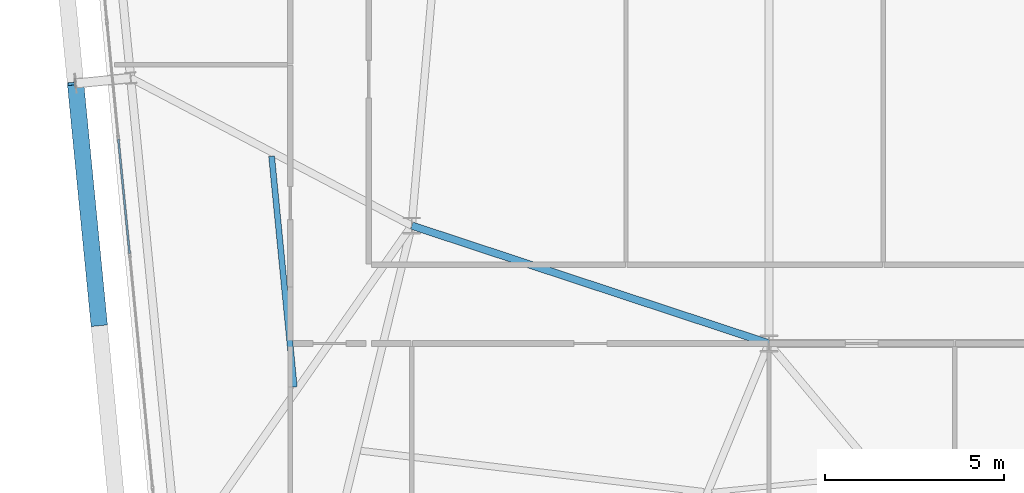
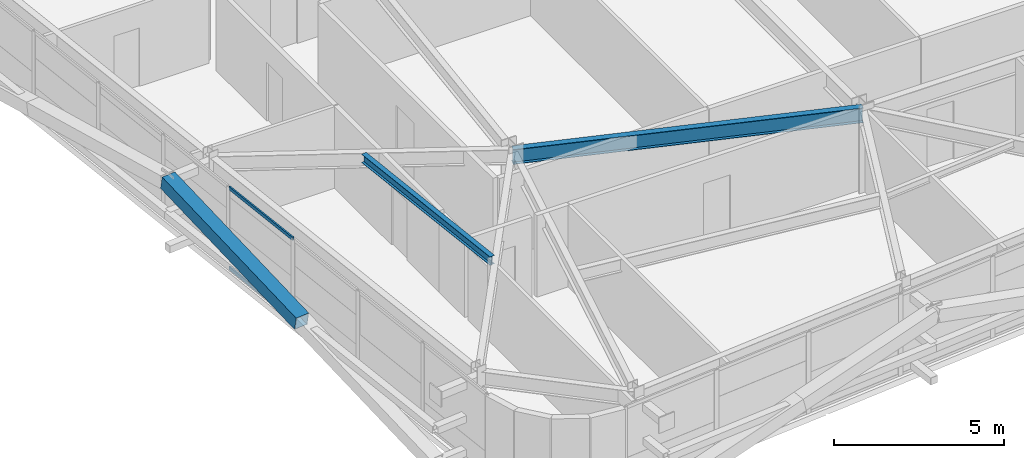
# One storey, part 9 of 52: 3 members, 2 beams, 1 element without a shape of its own.
"""IFC4 building model written with IfcOpenShell, lengths in metres."""

import ifcopenshell
import ifcopenshell.guid

model = None  # the IFC model being written
_history = None  # IfcOwnerHistory: only IFC2X3 demands one
_inside = {}  # id of a spatial element -> (the spatial element, [elements in it])
_under = {}  # id of a project, library or spatial element -> (it, [spatial elements below it])
_declared = {}  # id of a project -> (the project, [libraries it declares])
_typed = {}  # id of a type object -> (the type object, [elements of that type])
_made_of = {}  # id of a material, layer set ... -> (it, [elements and type objects made of it])


def new_model(schema):
    """Start an empty IFC model of exactly this schema.

    Asked for "IFC4X3", IfcOpenShell would pick the latest addendum, in which some entities
    have other attributes; the version numbers below select the first issue.
    IFC2X3 requires an IfcOwnerHistory on every rooted entity: one is made here for all.
    """
    global model, _history
    if schema == "IFC4X3":
        model = ifcopenshell.file(schema_version=(4, 3, 0, 0))
    else:
        model = ifcopenshell.file(schema=schema)
    _inside.clear()
    _under.clear()
    _declared.clear()
    _typed.clear()
    _made_of.clear()
    _history = None
    if model.schema == "IFC2X3":
        org = make("IfcOrganization", Name="unknown")
        user = make(
            "IfcPersonAndOrganization",
            ThePerson=make("IfcPerson", FamilyName="unknown"),
            TheOrganization=org,
        )
        app = make(
            "IfcApplication",
            ApplicationDeveloper=org,
            Version="unknown",
            ApplicationFullName="unknown",
            ApplicationIdentifier="unknown",
        )
        _history = make(
            "IfcOwnerHistory",
            OwningUser=user,
            OwningApplication=app,
            ChangeAction="ADDED",
            CreationDate=0,
        )
    return model


def make(cls, **values):
    """One entity of the class cls with the attributes given. An attribute that is None is left unset."""
    return model.create_entity(
        cls, **{name: value for name, value in values.items() if value is not None}
    )


def rooted(cls, **values):
    """An entity with a GlobalId (a new one), such as an element, a storey or a relation."""
    return make(cls, GlobalId=ifcopenshell.guid.new(), OwnerHistory=_history, **values)


def si_unit(unit_type, name, prefix=None):
    """IfcSIUnit, for example si_unit("LENGTHUNIT", "METRE", prefix="MILLI")."""
    return make("IfcSIUnit", UnitType=unit_type, Prefix=prefix, Name=name)


def assignment(units):
    """IfcUnitAssignment: the units of a project."""
    return None if units is None else make("IfcUnitAssignment", Units=units)


def point(xyz):
    """IfcCartesianPoint."""
    return None if xyz is None else make("IfcCartesianPoint", Coordinates=xyz)


def direction(xyz):
    """IfcDirection."""
    return None if xyz is None else make("IfcDirection", DirectionRatios=xyz)


def frame(location, z_axis=None, x_axis=None):
    """IfcAxis2Placement3D, a coordinate frame: its origin and axes. An axis left out is left unset."""
    return make(
        "IfcAxis2Placement3D",
        Location=point(location),
        Axis=direction(z_axis),
        RefDirection=direction(x_axis),
    )


def frame_2d(location, x_axis=None):
    """IfcAxis2Placement2D, a coordinate frame in the plane: its origin and x axis."""
    return make(
        "IfcAxis2Placement2D", Location=point(location), RefDirection=direction(x_axis)
    )


def origin():
    """The frame at (0, 0, 0) with its axes left unset."""
    return frame((0.0, 0.0, 0.0))


def origin_2d():
    """The frame at (0, 0) in the plane with its x axis left unset."""
    return frame_2d((0.0, 0.0))


def place(relative_to, where):
    """IfcLocalPlacement: puts the frame where relative to a parent placement (None: the world)."""
    return make(
        "IfcLocalPlacement", PlacementRelTo=relative_to, RelativePlacement=where
    )


def context(
    kind, dimensions, precision=None, world=None, true_north=None, identifier=None
):
    """IfcGeometricRepresentationContext, for example the 3D "Model" context."""
    return make(
        "IfcGeometricRepresentationContext",
        ContextIdentifier=identifier,
        ContextType=kind,
        CoordinateSpaceDimension=dimensions,
        Precision=precision,
        WorldCoordinateSystem=world,
        TrueNorth=true_north,
    )


def subcontext(parent, identifier, kind, view, scale=None):
    """IfcGeometricRepresentationSubContext, for example "Body" below "Model"."""
    return make(
        "IfcGeometricRepresentationSubContext",
        ContextIdentifier=identifier,
        ContextType=kind,
        ParentContext=parent,
        TargetScale=scale,
        TargetView=view,
    )


def project(units=None, contexts=None):
    """IfcProject with its units and contexts."""
    return rooted(
        "IfcProject",
        Name="project",
        RepresentationContexts=contexts,
        UnitsInContext=assignment(units),
    )


def spatial(cls, under=None, at=None, **own):
    """A site, building, storey or space (cls), placed at a placement, below another one or the project."""
    s = rooted(cls, ObjectPlacement=at, **own)
    if under is not None:
        _under.setdefault(under.id(), (under, []))[1].append(s)
    return s


def profile(cls, at=None, kind="AREA", **sizes):
    """A parametric profile (cls). Its sizes go by their IFC names, for example OverallWidth=200.0."""
    return make(cls, ProfileType=kind, Position=at, **sizes)


def hollow_rectangle(**sizes):
    """IfcRectangleHollowProfileDef."""
    return profile("IfcRectangleHollowProfileDef", **sizes)


def i_section(**sizes):
    """IfcIShapeProfileDef."""
    return profile("IfcIShapeProfileDef", **sizes)


def extrude(swept, where, along, depth):
    """IfcExtrudedAreaSolid: the profile swept, set in the frame where, extruded along a direction by depth."""
    return make(
        "IfcExtrudedAreaSolid",
        SweptArea=swept,
        Position=where,
        ExtrudedDirection=direction(along),
        Depth=depth,
    )


def shape(context_of_items, identifier, shape_type, items):
    """IfcShapeRepresentation: the items that make up one representation, for example the "Body"."""
    return make(
        "IfcShapeRepresentation",
        ContextOfItems=context_of_items,
        RepresentationIdentifier=identifier,
        RepresentationType=shape_type,
        Items=items,
    )


def source(mapping_origin, context_of_items, identifier, shape_type, items):
    """IfcRepresentationMap: a shape defined once, which mapped items show again and again."""
    return make(
        "IfcRepresentationMap",
        MappingOrigin=mapping_origin,
        MappedRepresentation=shape(context_of_items, identifier, shape_type, items),
    )


def transform(
    local_origin,
    x_axis=None,
    y_axis=None,
    z_axis=None,
    scale=None,
    scale2=None,
    scale3=None,
    uniform=True,
):
    """IfcCartesianTransformationOperator3D, or its non-uniform kind. x_axis, y_axis, z_axis: its Axis1, 2, 3."""
    if uniform:
        return make(
            "IfcCartesianTransformationOperator3D",
            Axis1=direction(x_axis),
            Axis2=direction(y_axis),
            LocalOrigin=point(local_origin),
            Scale=scale,
            Axis3=direction(z_axis),
        )
    return make(
        "IfcCartesianTransformationOperator3DnonUniform",
        Axis1=direction(x_axis),
        Axis2=direction(y_axis),
        LocalOrigin=point(local_origin),
        Scale=scale,
        Axis3=direction(z_axis),
        Scale2=scale2,
        Scale3=scale3,
    )


def mapped(mapping_source, mapping_target):
    """IfcMappedItem: shows the shape of a source again, moved by a transform."""
    return make(
        "IfcMappedItem", MappingSource=mapping_source, MappingTarget=mapping_target
    )


def material(Name=None, Category=None):
    """IfcMaterial."""
    return make("IfcMaterial", Name=Name, Category=Category)


def layer(
    of_material, thickness, ventilated=None, Name=None, Category=None, Priority=None
):
    """IfcMaterialLayer: one layer of a wall or slab, of a material (None: an air gap)."""
    return make(
        "IfcMaterialLayer",
        Material=of_material,
        LayerThickness=thickness,
        IsVentilated=ventilated,
        Name=Name,
        Category=Category,
        Priority=Priority,
    )


def layer_set(layers, Name=None):
    """IfcMaterialLayerSet."""
    return make("IfcMaterialLayerSet", MaterialLayers=layers, LayerSetName=Name)


def material_profile(
    of_material, cross_section, Name=None, Category=None, Priority=None
):
    """IfcMaterialProfile: a cross section and its material."""
    return make(
        "IfcMaterialProfile",
        Name=Name,
        Material=of_material,
        Profile=cross_section,
        Priority=Priority,
        Category=Category,
    )


def profile_set(profiles, Name=None, composite=None):
    """IfcMaterialProfileSet."""
    return make(
        "IfcMaterialProfileSet",
        Name=Name,
        MaterialProfiles=profiles,
        CompositeProfile=composite,
    )


def made_of(thing, what):
    """Note that an element or type object is made of a material, layer set ...; save() writes the relation."""
    if what is not None:
        _made_of.setdefault(what.id(), (what, []))[1].append(thing)
    return thing


def type_object(cls, material=None, **own):
    """A type object (cls), such as IfcWallType, which elements share."""
    return made_of(rooted(cls, **own), material)


def element(
    cls,
    number,
    at=None,
    inside=None,
    cuts=None,
    type_object=None,
    material=None,
    context=None,
    identifier="Body",
    shape_type=None,
    held_by="IfcProductDefinitionShape",
    body=None,
    shapes=None,
    **own,
):
    """One element of the class cls, such as IfcWall. Its Tag is "e" and its number.

    at: its placement. inside: the storey or other place that contains it. cuts: it is an
    opening in that element (IfcRelVoidsElement). A single representation is given by context,
    identifier, shape_type and body (its items); several are given by shapes. held_by: the class
    of the entity that holds the representations. save() writes the other relations.
    """
    e = rooted(cls, Tag="e%d" % number, ObjectPlacement=at, **own)
    if body is not None:
        shapes = [shape(context, identifier, shape_type, body)]
    if shapes is not None:
        e.Representation = make(held_by, Representations=shapes)
    if inside is not None:
        _inside.setdefault(inside.id(), (inside, []))[1].append(e)
    if cuts is not None:
        rooted(
            "IfcRelVoidsElement", RelatingBuildingElement=cuts, RelatedOpeningElement=e
        )
    if type_object is not None:
        _typed.setdefault(type_object.id(), (type_object, []))[1].append(e)
    return made_of(e, material)


def aggregate(whole, parts):
    """IfcRelAggregates: a whole, such as a stair, and the parts it consists of."""
    return rooted("IfcRelAggregates", RelatingObject=whole, RelatedObjects=parts)


def save(model, path):
    """Write the relations noted so far, then the file.

    IfcRelAggregates (storeys below a building ...), IfcRelContainedInSpatialStructure (elements
    in a storey), IfcRelDefinesByType, IfcRelAssociatesMaterial and IfcRelDeclares: one each for
    every whole, place, type object, material and project.
    """
    for whole, parts in _under.values():
        aggregate(whole, parts)
    for where, things in _inside.values():
        rooted(
            "IfcRelContainedInSpatialStructure",
            RelatedElements=things,
            RelatingStructure=where,
        )
    for kind, things in _typed.values():
        rooted("IfcRelDefinesByType", RelatedObjects=things, RelatingType=kind)
    for what, things in _made_of.values():
        rooted("IfcRelAssociatesMaterial", RelatedObjects=things, RelatingMaterial=what)
    for by, libraries in _declared.values():
        rooted("IfcRelDeclares", RelatingContext=by, RelatedDefinitions=libraries)
    model.write(path)


model = new_model("IFC4")

# Units and contexts
model_context = context("Model", 3, precision=1e-05, world=origin(), true_north=direction((0.0, 1.0)))
body_context = subcontext(model_context, "Body", "Model", "MODEL_VIEW")
ifc_project = project(units=[si_unit("LENGTHUNIT", "METRE"), si_unit("AREAUNIT", "SQUARE_METRE"), si_unit("VOLUMEUNIT", "CUBIC_METRE"), si_unit("PLANEANGLEUNIT", "RADIAN"), si_unit("MASSUNIT", "GRAM", prefix="KILO")], contexts=[model_context])

# Site, building, storey
site_placement = place(None, origin())
site = spatial("IfcSite", under=ifc_project, at=site_placement, CompositionType="ELEMENT")
building_placement = place(site_placement, origin())
building = spatial("IfcBuilding", under=site, at=building_placement, Name="Taldren Reach Tower", CompositionType="ELEMENT")
storey_placement = place(building_placement, frame((0.0, 0.0, 93.449951171875)))
storey = spatial("IfcBuildingStorey", under=building, at=storey_placement, Name="L28", CompositionType="ELEMENT", Elevation=93.449951171875)

# Beams
ifc_material_1 = material(Name="Steel Gr 350 (350PLUS)", Category="steel")
ifc_material_profile_1 = material_profile(ifc_material_1, i_section(OverallWidth=0.208984375, OverallDepth=0.532958984375, WebThickness=0.01025390625, FlangeThickness=0.015625, at=origin_2d()), Name="530UB92.4")
ifc_profile_set_1 = profile_set([ifc_material_profile_1], Name="Steel Gr 350 (350PLUS)")
beam_type_1 = type_object("IfcBeamType", Name="BM-UB530A", PredefinedType="BEAM", material=ifc_profile_set_1)
shared_shape_1 = source(origin(), body_context, "Body", "SweptSolid", [
    extrude(i_section(OverallWidth=0.208984375, OverallDepth=0.532958984375, WebThickness=0.01025390625, FlangeThickness=0.015625, at=origin_2d()), origin(), (0.0, 0.0, 1.0), 10.530517578125),
])
beam_1_placement = place(storey_placement, frame((18.0, 12.5, 2.66357421875), z_axis=(0.949627269203, -0.313381635689, 0.0), x_axis=(0.313381635689, 0.949627269203, 0.0)))
element("IfcBeam", 1, at=beam_1_placement, inside=storey, type_object=beam_type_1, Name="Core-spine girder L28-SP10", PredefinedType="BEAM", context=body_context, shape_type="MappedRepresentation", body=[
    mapped(shared_shape_1, transform((0.0, 0.0, 0.0), scale=1.0)),
])
ifc_material_2 = material(Name="Steel Gr 300 (300PLUS, 300 MPa)", Category="steel")
ifc_material_profile_2 = material_profile(ifc_material_2, i_section(OverallWidth=0.166015625, OverallDepth=0.306884765625, WebThickness=0.006591796875, FlangeThickness=0.01171875, at=origin_2d()), Name="310UB46.2")
ifc_profile_set_2 = profile_set([ifc_material_profile_2], Name="Steel Gr 300 (300PLUS, 300 MPa)")
beam_type_2 = type_object("IfcBeamType", Name="JS-UB310", PredefinedType="JOIST", material=ifc_profile_set_2)
shared_shape_2 = source(origin(), body_context, "Body", "SweptSolid", [
    extrude(i_section(OverallWidth=0.166015625, OverallDepth=0.306884765625, WebThickness=0.006591796875, FlangeThickness=0.01171875, at=origin_2d()), origin(), (0.0, 0.0, 1.0), 6.489501953125),
])
beam_2_placement = place(storey_placement, frame((14.710693359375, 7.982666015625, 2.776611328125), z_axis=(-0.097588959486, 0.995226805802, 0.0), x_axis=(-0.995226805802, -0.097588959486, 0.0)))
element("IfcBeam", 2, at=beam_2_placement, inside=storey, type_object=beam_type_2, Name="Secondary floor joist B2 J6 L28", PredefinedType="JOIST", context=body_context, shape_type="MappedRepresentation", body=[
    mapped(shared_shape_2, transform((0.0, 0.0, 0.0), scale=1.0)),
])

# Member
ifc_material_3 = material(Name="Steel Gr 450 (C450L0)", Category="steel")
ifc_material_profile_3 = material_profile(ifc_material_3, hollow_rectangle(XDim=0.4599609375, YDim=0.4599609375, WallThickness=0.01611328125, at=origin_2d()), Name="460x460x16.0SHS")
ifc_profile_set_3 = profile_set([ifc_material_profile_3], Name="Steel Gr 450 (C450L0)")
member_type_1 = type_object("IfcMemberType", Name="MB-EXO457", PredefinedType="BRACE", material=ifc_profile_set_3)
shared_shape_3 = source(origin(), body_context, "Body", "SweptSolid", [
    extrude(hollow_rectangle(XDim=0.4599609375, YDim=0.4599609375, WallThickness=0.01611328125, at=origin_2d()), origin(), (0.0, 0.0, 1.0), 6.8828125),
])
member_1_placement = place(storey_placement, frame((9.2490234375, 9.7373046875, 1.43505859375), z_axis=(-0.096054795712, 0.979595750804, 0.17653793141), x_axis=(-0.995226946838, -0.097587521166, 0.0)))
element("IfcMember", 3, at=member_1_placement, inside=storey, type_object=member_type_1, Name="Exoskeleton Diagrid Brace B2-W1 L28", PredefinedType="BRACE", context=body_context, shape_type="MappedRepresentation", body=[
    mapped(shared_shape_3, transform((0.0, 0.0, 0.0), scale=1.0)),
])

# Curtain wall, members
ifc_material_4 = material(Name="Aluminium and Low-E Glass Unitised System", Category="aluminium")
ifc_layer = layer(ifc_material_4, 0.159912109375)
ifc_layer_set = layer_set([ifc_layer], Name="Aluminium and Low-E Glass Unitised System")
curtain_wall_type = type_object("IfcCurtainWallType", Name="CW-SYS-3", PredefinedType="NOTDEFINED", material=ifc_layer_set)
curtain_wall_placement = place(storey_placement, origin())
curtain_wall = element("IfcCurtainWall", 4, at=curtain_wall_placement, inside=storey, type_object=curtain_wall_type, Name="Unitised curtain wall CW-L28-W", PredefinedType="NOTDEFINED")
ifc_material_5 = material(Name="Anodised Aluminium 6063-T6", Category="aluminium")
ifc_material_profile_4 = material_profile(ifc_material_5, hollow_rectangle(XDim=0.054931640625, YDim=0.1201171875, WallThickness=0.0029296875, at=origin_2d()), Name="ALU-120x55x3RHS")
ifc_profile_set_4 = profile_set([ifc_material_profile_4], Name="Anodised Aluminium 6063-T6")
member_type_2 = type_object("IfcMemberType", Name="CW-TRN-135", PredefinedType="USERDEFINED", material=ifc_profile_set_4)
shared_shape_4 = source(origin(), body_context, "Body", "SweptSolid", [
    extrude(hollow_rectangle(XDim=0.054931640625, YDim=0.1201171875, WallThickness=0.0029296875, at=origin_2d()), origin(), (0.0, 0.0, 1.0), 3.212890625),
])
member_2_placement = place(storey_placement, frame((9.7861328125, 14.91796875, 0.027587890625), z_axis=(0.097569948235, -0.995228669805, 0.0), x_axis=(0.995228669805, 0.097569948235, 0.0)))
member_2 = element("IfcMember", 5, at=member_2_placement, type_object=member_type_2, Name="CW-3 transom 6.1", ObjectType="TRANSOM", PredefinedType="USERDEFINED", context=body_context, shape_type="MappedRepresentation", body=[
    mapped(shared_shape_4, transform((0.0, 0.0, 0.0), scale=1.0)),
])
member_3_placement = place(storey_placement, frame((9.7861328125, 14.91796875, 2.902587890625), z_axis=(0.097569948235, -0.995228669805, 0.0), x_axis=(0.995228669805, 0.097569948235, 0.0)))
member_3 = element("IfcMember", 6, at=member_3_placement, type_object=member_type_2, Name="CW-3 transom 6.2", ObjectType="TRANSOM", PredefinedType="USERDEFINED", context=body_context, shape_type="MappedRepresentation", body=[
    mapped(shared_shape_4, transform((0.0, 0.0, 0.0), scale=1.0)),
])
aggregate(curtain_wall, [member_2, member_3])

save(model, "model.ifc")
